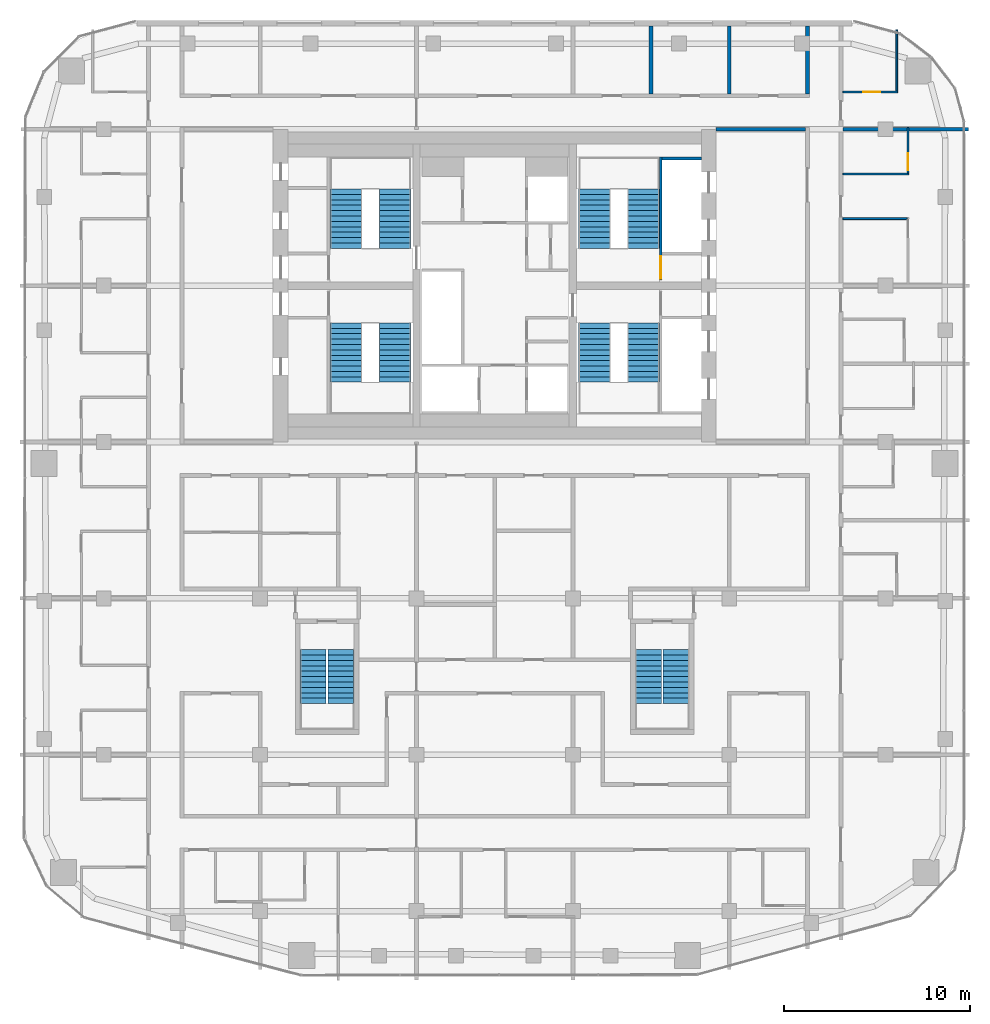
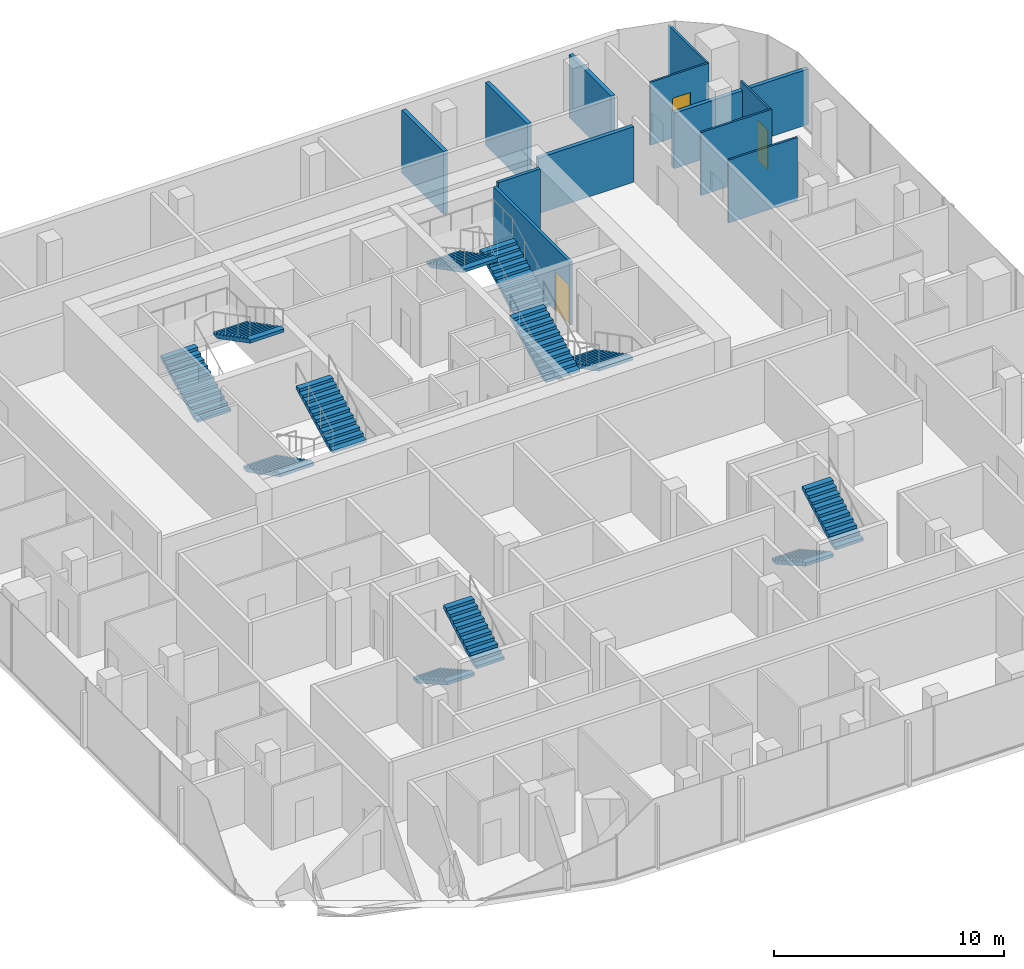
# One storey, part 20 of 21: 12 stair flights, 12 walls, 3 doors, 3 openings, 6 elements without a shape of their own.
"""IFC4 building model written with IfcOpenShell, lengths in metres."""

from ifc_helpers import new_model, si_unit, direction, frame, frame_2d, origin, place, context, subcontext, project, spatial, polyline, rectangle, outline, extrude, material, layer, layer_set, type_object, element, fill, aggregate, save


model = new_model("IFC4")

# Units and contexts
model_context = context("Model", 3, precision=1e-05, world=origin(), true_north=direction((0.0, 1.0)))
body_context = subcontext(model_context, "Body", "Model", "MODEL_VIEW")
ifc_project = project(units=[si_unit("LENGTHUNIT", "METRE"), si_unit("AREAUNIT", "SQUARE_METRE"), si_unit("VOLUMEUNIT", "CUBIC_METRE"), si_unit("PLANEANGLEUNIT", "RADIAN"), si_unit("MASSUNIT", "GRAM", prefix="KILO")], contexts=[model_context])

# Site, building, storey
site_placement = place(None, origin())
site = spatial("IfcSite", under=ifc_project, at=site_placement, CompositionType="ELEMENT")
building_placement = place(site_placement, origin())
building = spatial("IfcBuilding", under=site, at=building_placement, Name="Marenta Gate Hotel Tower", CompositionType="ELEMENT")
storey_placement = place(building_placement, frame((0.0, 0.0, 245.300048828125)))
storey = spatial("IfcBuildingStorey", under=building, at=storey_placement, Name="L58", CompositionType="ELEMENT", Elevation=245.300048828125)

# Walls
ifc_material_1 = material(Name="Concrete blockwork", Category="masonry")
ifc_layer_1 = layer(ifc_material_1, 0.199951171875)
ifc_layer_set_1 = layer_set([ifc_layer_1], Name="Concrete blockwork")
wall_type_1 = type_object("IfcWallType", Name="Core boundary wall 200 REI 180", PredefinedType="PARTITIONING", material=ifc_layer_set_1)
wall_1_placement = place(storey_placement, frame((11.89990234375, 16.800048828125, 0.0), z_axis=(0.0, 0.0, 1.0), x_axis=(1.0, 0.0, 0.0)))
element("IfcWall", 1, at=wall_1_placement, inside=storey, type_object=wall_type_1, Name="L58-CP-EW-EN", PredefinedType="PARTITIONING", context=body_context, shape_type="SweptSolid", body=[
    extrude(rectangle(XDim=4.800048828125, YDim=0.199951171875, at=frame_2d((2.39990234375, 0.0))), origin(), (0.0, 0.0, 1.0), 2.93994140625),
])
ifc_material_2 = material(Name="Concrete C40", Category="concrete")
ifc_layer_2 = layer(ifc_material_2, 0.14990234375)
ifc_layer_set_2 = layer_set([ifc_layer_2], Name="Concrete C40")
wall_type_2 = type_object("IfcWallType", Name="Core shaft wall 150 REI 180", PredefinedType="SHEAR", material=ifc_layer_set_2)
wall_2_placement = place(storey_placement, frame((9.0, 15.22509765625, 0.0), z_axis=(0.0, 0.0, 1.0), x_axis=(1.0, 0.0, 0.0)))
element("IfcWall", 2, at=wall_2_placement, inside=storey, type_object=wall_type_2, Name="L58-SHF-SW-EN-5", PredefinedType="SHEAR", context=body_context, shape_type="SweptSolid", body=[
    extrude(rectangle(XDim=2.10009765625, YDim=0.14990234375, at=frame_2d((1.050048828125, 0.0))), origin(), (0.0, 0.0, 1.0), 3.599853515625),
])

# Wall, opening, door
ifc_material_3 = material(Name="Concrete C40", Category="concrete")
ifc_layer_3 = layer(ifc_material_3, 0.14990234375)
ifc_layer_set_3 = layer_set([ifc_layer_3], Name="Concrete C40")
wall_type_3 = type_object("IfcWallType", Name="Core stair enclosure wall 150 REI 180", PredefinedType="SHEAR", material=ifc_layer_set_3)
wall_3_placement = place(storey_placement, frame((8.925048828125, 8.699951171875, 0.0), z_axis=(0.0, 0.0, 1.0), x_axis=(0.0, 1.0, 0.0)))
wall_3 = element("IfcWall", 3, at=wall_3_placement, inside=storey, type_object=wall_type_3, Name="L58-SHF-SW-EN-3", PredefinedType="SHEAR", context=body_context, shape_type="SweptSolid", body=[
    extrude(rectangle(XDim=6.60009765625, YDim=0.14990234375, at=frame_2d((3.300048828125, 0.0))), origin(), (0.0, 0.0, 1.0), 3.33984375),
])
opening_1_placement = place(wall_3_placement, frame((0.074951171875, 0.0, 0.0)))
opening_1 = element("IfcOpeningElement", 4, at=opening_1_placement, cuts=wall_3, Name="Opening SD-EN", PredefinedType="OPENING", context=body_context, shape_type="SweptSolid", body=[
    extrude(rectangle(XDim=1.199951171875, YDim=2.10009765625, at=frame_2d((0.60009765625, 1.050048828125))), frame((0.0, 0.074951171875, 0.0), z_axis=(0.0, -1.0, 0.0), x_axis=(1.0, 0.0, 0.0)), (0.0, 0.0, 1.0), 0.14990234375),
])
ifc_material_4 = material(Name="Steel", Category="steel")
door_type_1 = type_object("IfcDoorType", Name="Core stair door 1200x2100 FD60", OperationType="SINGLE_SWING_LEFT", PredefinedType="DOOR", material=ifc_material_4)
door_1_placement = place(opening_1_placement, origin())
door_1 = element("IfcDoor", 5, at=door_1_placement, inside=storey, type_object=door_type_1, Name="SD-EN", OperationType="SINGLE_SWING_LEFT", OverallHeight=2.10009765625, OverallWidth=1.199951171875, PredefinedType="DOOR", context=body_context, shape_type="SweptSolid", body=[
    extrude(rectangle(XDim=1.199951171875, YDim=2.10009765625, at=frame_2d((0.60009765625, 1.050048828125))), frame((0.0, 0.02490234375, 0.0), z_axis=(0.0, -1.0, 0.0), x_axis=(1.0, 0.0, 0.0)), (0.0, 0.0, 1.0), 0.050048828125),
])
fill(opening_1, door_1)

# Wall
ifc_material_5 = material(Name="Gypsum board on steel stud", Category="steel")
ifc_layer_4 = layer(ifc_material_5, 0.199951171875)
ifc_layer_set_4 = layer_set([ifc_layer_4], Name="Gypsum board on steel stud")
wall_type_4 = type_object("IfcWallType", Name="Room corridor wall 200 EI 60", PredefinedType="PARTITIONING", material=ifc_layer_set_4)
wall_4_placement = place(storey_placement, frame((16.800048828125, 18.699951171875, 0.0), z_axis=(0.0, 0.0, 1.0), x_axis=(0.0, 1.0, 0.0)))
element("IfcWall", 6, at=wall_4_placement, inside=storey, type_object=wall_type_4, Name="L58-PTN-W023", PredefinedType="PARTITIONING", context=body_context, shape_type="SweptSolid", body=[
    extrude(rectangle(XDim=3.64013671875, YDim=0.199951171875, at=frame_2d((1.820068359375, 0.0))), origin(), (0.0, 0.0, 1.0), 3.33984375),
])

# Wall, opening, door
ifc_material_6 = material(Name="Gypsum board on steel stud", Category="steel")
ifc_layer_5 = layer(ifc_material_6, 0.10009765625)
ifc_layer_set_5 = layer_set([ifc_layer_5], Name="Gypsum board on steel stud")
wall_type_5 = type_object("IfcWallType", Name="Room partition 100", PredefinedType="PARTITIONING", material=ifc_layer_set_5)
wall_5_placement = place(storey_placement, frame((22.199951171875, 14.449951171875, 0.0), z_axis=(0.0, 0.0, 1.0), x_axis=(0.0, 1.0, 0.0)))
wall_5 = element("IfcWall", 7, at=wall_5_placement, inside=storey, type_object=wall_type_5, Name="L58-PTN-W009", PredefinedType="PARTITIONING", context=body_context, shape_type="SweptSolid", body=[
    extrude(rectangle(XDim=2.449951171875, YDim=0.10009765625, at=frame_2d((1.22509765625, 0.0))), origin(), (0.0, 0.0, 1.0), 3.33984375),
])
opening_2_placement = place(wall_5_placement, frame((0.14990234375, 0.0, 0.0)))
opening_2 = element("IfcOpeningElement", 8, at=opening_2_placement, cuts=wall_5, Name="Opening G21-26", PredefinedType="OPENING", context=body_context, shape_type="SweptSolid", body=[
    extrude(rectangle(XDim=0.89990234375, YDim=2.10009765625, at=frame_2d((0.449951171875, 1.050048828125))), frame((0.0, 0.050048828125, 0.0), z_axis=(0.0, -1.0, 0.0), x_axis=(1.0, 0.0, 0.0)), (0.0, 0.0, 1.0), 0.10009765625),
])
ifc_material_7 = material(Name="Timber door leaf", Category="wood")
door_type_2 = type_object("IfcDoorType", Name="Room inner door 900x2100", OperationType="NOTDEFINED", PredefinedType="DOOR", material=ifc_material_7)
door_2_placement = place(opening_2_placement, origin())
door_2 = element("IfcDoor", 9, at=door_2_placement, inside=storey, type_object=door_type_2, Name="L58-PD-D026", OperationType="SINGLE_SWING_LEFT", OverallHeight=2.10009765625, OverallWidth=0.89990234375, PredefinedType="DOOR", context=body_context, shape_type="SweptSolid", body=[
    extrude(rectangle(XDim=0.89990234375, YDim=2.10009765625, at=frame_2d((0.449951171875, 1.050048828125))), frame((0.0, 0.02490234375, 0.0), z_axis=(0.0, -1.0, 0.0), x_axis=(1.0, 0.0, 0.0)), (0.0, 0.0, 1.0), 0.050048828125),
])
fill(opening_2, door_2)

# Walls
wall_6_placement = place(storey_placement, frame((21.60009765625, 18.85009765625, 0.0), z_axis=(0.0, 0.0, 1.0), x_axis=(0.0, 1.0, 0.0)))
element("IfcWall", 10, at=wall_6_placement, inside=storey, type_object=wall_type_5, Name="L58-PTN-W013", PredefinedType="PARTITIONING", context=body_context, shape_type="SweptSolid", body=[
    extrude(rectangle(XDim=3.294921875, YDim=0.10009765625, at=frame_2d((1.6474609375, 0.0))), origin(), (0.0, 0.0, 1.0), 3.33984375),
])
wall_7_placement = place(storey_placement, frame((18.699951171875, 12.0, 0.0), z_axis=(0.0, 0.0, 1.0), x_axis=(1.0, 0.0, 0.0)))
element("IfcWall", 11, at=wall_7_placement, inside=storey, type_object=wall_type_5, Name="L58-PTN-W086", PredefinedType="PARTITIONING", context=body_context, shape_type="SweptSolid", body=[
    extrude(rectangle(XDim=3.449951171875, YDim=0.10009765625, at=frame_2d((1.72509765625, 0.0))), origin(), (0.0, 0.0, 1.0), 3.33984375),
])
wall_8_placement = place(storey_placement, frame((18.699951171875, 14.39990234375, 0.0), z_axis=(0.0, 0.0, 1.0), x_axis=(1.0, 0.0, 0.0)))
element("IfcWall", 12, at=wall_8_placement, inside=storey, type_object=wall_type_5, Name="L58-PTN-W093", PredefinedType="PARTITIONING", context=body_context, shape_type="SweptSolid", body=[
    extrude(rectangle(XDim=3.550048828125, YDim=0.10009765625, at=frame_2d((1.77490234375, 0.0))), origin(), (0.0, 0.0, 1.0), 3.33984375),
])

# Wall, opening, door
wall_9_placement = place(storey_placement, frame((18.699951171875, 18.800048828125, 0.0), z_axis=(0.0, 0.0, 1.0), x_axis=(1.0, 0.0, 0.0)))
wall_9 = element("IfcWall", 13, at=wall_9_placement, inside=storey, type_object=wall_type_5, Name="L58-PTN-W104", PredefinedType="PARTITIONING", context=body_context, shape_type="SweptSolid", body=[
    extrude(rectangle(XDim=2.949951171875, YDim=0.10009765625, at=frame_2d((1.47509765625, 0.0))), origin(), (0.0, 0.0, 1.0), 3.33984375),
])
opening_3_placement = place(wall_9_placement, frame((1.10009765625, 0.0, 0.0)))
opening_3 = element("IfcOpeningElement", 14, at=opening_3_placement, cuts=wall_9, Name="Opening G21-28", PredefinedType="OPENING", context=body_context, shape_type="SweptSolid", body=[
    extrude(rectangle(XDim=0.89990234375, YDim=2.10009765625, at=frame_2d((0.449951171875, 1.050048828125))), frame((0.0, 0.050048828125, 0.0), z_axis=(0.0, -1.0, 0.0), x_axis=(1.0, 0.0, 0.0)), (0.0, 0.0, 1.0), 0.10009765625),
])
ifc_material_8 = material(Name="Timber door leaf", Category="wood")
door_type_3 = type_object("IfcDoorType", Name="Guest bathroom door 900x2100", OperationType="NOTDEFINED", PredefinedType="DOOR", material=ifc_material_8)
door_3_placement = place(opening_3_placement, origin())
door_3 = element("IfcDoor", 15, at=door_3_placement, inside=storey, type_object=door_type_3, Name="L58-PD-D028", OperationType="SINGLE_SWING_RIGHT", OverallHeight=2.10009765625, OverallWidth=0.89990234375, PredefinedType="DOOR", context=body_context, shape_type="SweptSolid", body=[
    extrude(rectangle(XDim=0.89990234375, YDim=2.10009765625, at=frame_2d((0.449951171875, 1.050048828125))), frame((0.0, 0.02490234375, 0.0), z_axis=(0.0, -1.0, 0.0), x_axis=(1.0, 0.0, 0.0)), (0.0, 0.0, 1.0), 0.050048828125),
])
fill(opening_3, door_3)

# Walls
ifc_material_9 = material(Name="Gypsum board on steel stud", Category="steel")
ifc_layer_6 = layer(ifc_material_9, 0.199951171875)
ifc_layer_set_6 = layer_set([ifc_layer_6], Name="Gypsum board on steel stud")
wall_type_6 = type_object("IfcWallType", Name="Room party wall 200 EI 60", PredefinedType="PARTITIONING", material=ifc_layer_set_6)
for number, where, z_axis, x_axis, name in (
    (16, (12.60009765625, 18.699951171875, 0.0), (0.0, 0.0, 1.0), (0.0, 1.0, 0.0), "L58-PTN-W034"),
    (17, (8.39990234375, 18.699951171875, 0.0), (0.0, 0.0, 1.0), (0.0, 1.0, 0.0), "L58-PTN-W040"),
):
    element("IfcWall", number, at=place(storey_placement, frame(where, z_axis=z_axis, x_axis=x_axis)), inside=storey, type_object=wall_type_6, Name=name, PredefinedType="PARTITIONING", context=body_context, shape_type="SweptSolid", body=[
        extrude(rectangle(XDim=3.64013671875, YDim=0.199951171875, at=frame_2d((1.820068359375, 0.0))), origin(), (0.0, 0.0, 1.0), 3.33984375),
    ])
wall_10_placement = place(storey_placement, frame((18.699951171875, 16.800048828125, 0.0), z_axis=(0.0, 0.0, 1.0), x_axis=(1.0, 0.0, 0.0)))
element("IfcWall", 18, at=wall_10_placement, inside=storey, type_object=wall_type_6, Name="L58-PTN-W100", PredefinedType="PARTITIONING", context=body_context, shape_type="SweptSolid", body=[
    extrude(rectangle(XDim=6.7470703125, YDim=0.199951171875, at=frame_2d((3.37353515625, 0.0))), origin(), (0.0, 0.0, 1.0), 2.93994140625),
])

# Stair, stair flights
ifc_material_10 = material(Name="Concrete C40", Category="concrete")
stair_type_1 = type_object("IfcStairType", Name="Core exit stair 1700 wide", PredefinedType="HALF_TURN_STAIR", material=ifc_material_10)
stair_1_placement = place(storey_placement, origin())
stair_1 = element("IfcStair", 19, at=stair_1_placement, inside=storey, type_object=stair_type_1, Name="Exit stair 1", PredefinedType="HALF_TURN_STAIR")
ifc_material_11 = material(Name="Concrete C40", Category="concrete")
stair_flight_type_1 = type_object("IfcStairFlightType", Name="Core stair flight 1700 riser 150.0 going 290", PredefinedType="STRAIGHT", material=ifc_material_11)
stair_flight_1_placement = place(storey_placement, frame((-8.0, 6.39990234375, 0.0), z_axis=(0.0, 0.0, 1.0), x_axis=(0.0, -1.0, 0.0)))
stair_flight_1 = element("IfcStairFlight", 20, at=stair_flight_1_placement, type_object=stair_flight_type_1, Name="ST1 flight 1", NumberOfRisers=12, NumberOfTreads=11, PredefinedType="STRAIGHT", RiserHeight=0.15, TreadLength=0.29, context=body_context, shape_type="SweptSolid", body=[
    extrude(outline(polyline([(0.0, 0.0), (0.0, 0.14990234375), (0.2900390625, 0.14990234375), (0.2900390625, 0.300048828125), (0.580078125, 0.300048828125), (0.580078125, 0.449951171875), (0.8701171875, 0.449951171875), (0.8701171875, 0.60009765625), (1.159912109375, 0.60009765625), (1.159912109375, 0.75), (1.449951171875, 0.75), (1.449951171875, 0.89990234375), (1.739990234375, 0.89990234375), (1.739990234375, 1.050048828125), (2.030029296875, 1.050048828125), (2.030029296875, 1.199951171875), (2.320068359375, 1.199951171875), (2.320068359375, 1.35009765625), (2.610107421875, 1.35009765625), (2.610107421875, 1.5), (2.89990234375, 1.5), (2.89990234375, 1.64990234375), (3.18994140625, 1.64990234375), (3.18994140625, 1.800048828125), (3.18994140625, 1.481201171875), (0.326171875, 0.0), (0.0, 0.0)])), frame((0.0, 0.85009765625, 0.0), z_axis=(0.0, -1.0, 0.0), x_axis=(1.0, 0.0, 0.0)), (0.0, 0.0, 1.0), 1.699951171875),
])
stair_flight_2_placement = place(storey_placement, frame((-5.35009765625, 3.2099609375, 1.800048828125), z_axis=(0.0, 0.0, 1.0), x_axis=(0.0, 1.0, 0.0)))
stair_flight_2 = element("IfcStairFlight", 21, at=stair_flight_2_placement, type_object=stair_flight_type_1, Name="ST1 flight 2", NumberOfRisers=12, NumberOfTreads=11, PredefinedType="STRAIGHT", RiserHeight=0.15, TreadLength=0.29, context=body_context, shape_type="SweptSolid", body=[
    extrude(outline(polyline([(0.0, 0.0), (0.0, 0.14990234375), (0.2900390625, 0.14990234375), (0.2900390625, 0.300048828125), (0.580078125, 0.300048828125), (0.580078125, 0.449951171875), (0.8701171875, 0.449951171875), (0.8701171875, 0.60009765625), (1.159912109375, 0.60009765625), (1.159912109375, 0.75), (1.449951171875, 0.75), (1.449951171875, 0.89990234375), (1.739990234375, 0.89990234375), (1.739990234375, 1.050048828125), (2.030029296875, 1.050048828125), (2.030029296875, 1.199951171875), (2.320068359375, 1.199951171875), (2.320068359375, 1.35009765625), (2.610107421875, 1.35009765625), (2.610107421875, 1.5), (2.89990234375, 1.5), (2.89990234375, 1.64990234375), (3.18994140625, 1.64990234375), (3.18994140625, 1.800048828125), (3.18994140625, 1.481201171875), (0.326171875, 0.0), (0.0, 0.0)])), frame((0.0, 0.85009765625, 0.0), z_axis=(0.0, -1.0, 0.0), x_axis=(1.0, 0.0, 0.0)), (0.0, 0.0, 1.0), 1.699951171875),
])
aggregate(stair_1, [stair_flight_1, stair_flight_2])

stair_2_placement = place(storey_placement, origin())
stair_2 = element("IfcStair", 22, at=stair_2_placement, inside=storey, type_object=stair_type_1, Name="Exit stair 2", PredefinedType="HALF_TURN_STAIR")
stair_flight_3_placement = place(storey_placement, frame((-8.0, 10.39990234375, 0.0), z_axis=(0.0, 0.0, 1.0), x_axis=(0.0, 1.0, 0.0)))
stair_flight_3 = element("IfcStairFlight", 23, at=stair_flight_3_placement, type_object=stair_flight_type_1, Name="ST2 flight 1", NumberOfRisers=12, NumberOfTreads=11, PredefinedType="STRAIGHT", RiserHeight=0.15, TreadLength=0.29, context=body_context, shape_type="SweptSolid", body=[
    extrude(outline(polyline([(0.0, 0.0), (0.0, 0.14990234375), (0.2900390625, 0.14990234375), (0.2900390625, 0.300048828125), (0.580078125, 0.300048828125), (0.580078125, 0.449951171875), (0.8701171875, 0.449951171875), (0.8701171875, 0.60009765625), (1.159912109375, 0.60009765625), (1.159912109375, 0.75), (1.449951171875, 0.75), (1.449951171875, 0.89990234375), (1.739990234375, 0.89990234375), (1.739990234375, 1.050048828125), (2.030029296875, 1.050048828125), (2.030029296875, 1.199951171875), (2.320068359375, 1.199951171875), (2.320068359375, 1.35009765625), (2.610107421875, 1.35009765625), (2.610107421875, 1.5), (2.89990234375, 1.5), (2.89990234375, 1.64990234375), (3.18994140625, 1.64990234375), (3.18994140625, 1.800048828125), (3.18994140625, 1.481201171875), (0.326171875, 0.0), (0.0, 0.0)])), frame((0.0, 0.85009765625, 0.0), z_axis=(0.0, -1.0, 0.0), x_axis=(1.0, 0.0, 0.0)), (0.0, 0.0, 1.0), 1.699951171875),
])
stair_flight_4_placement = place(storey_placement, frame((-5.35009765625, 13.590087890625, 1.800048828125), z_axis=(0.0, 0.0, 1.0), x_axis=(0.0, -1.0, 0.0)))
stair_flight_4 = element("IfcStairFlight", 24, at=stair_flight_4_placement, type_object=stair_flight_type_1, Name="ST2 flight 2", NumberOfRisers=12, NumberOfTreads=11, PredefinedType="STRAIGHT", RiserHeight=0.15, TreadLength=0.29, context=body_context, shape_type="SweptSolid", body=[
    extrude(outline(polyline([(0.0, 0.0), (0.0, 0.14990234375), (0.2900390625, 0.14990234375), (0.2900390625, 0.300048828125), (0.580078125, 0.300048828125), (0.580078125, 0.449951171875), (0.8701171875, 0.449951171875), (0.8701171875, 0.60009765625), (1.159912109375, 0.60009765625), (1.159912109375, 0.75), (1.449951171875, 0.75), (1.449951171875, 0.89990234375), (1.739990234375, 0.89990234375), (1.739990234375, 1.050048828125), (2.030029296875, 1.050048828125), (2.030029296875, 1.199951171875), (2.320068359375, 1.199951171875), (2.320068359375, 1.35009765625), (2.610107421875, 1.35009765625), (2.610107421875, 1.5), (2.89990234375, 1.5), (2.89990234375, 1.64990234375), (3.18994140625, 1.64990234375), (3.18994140625, 1.800048828125), (3.18994140625, 1.481201171875), (0.326171875, 0.0), (0.0, 0.0)])), frame((0.0, 0.85009765625, 0.0), z_axis=(0.0, -1.0, 0.0), x_axis=(1.0, 0.0, 0.0)), (0.0, 0.0, 1.0), 1.699951171875),
])
aggregate(stair_2, [stair_flight_3, stair_flight_4])

stair_3_placement = place(storey_placement, origin())
stair_3 = element("IfcStair", 25, at=stair_3_placement, inside=storey, type_object=stair_type_1, Name="Exit stair 3", PredefinedType="HALF_TURN_STAIR")
stair_flight_5_placement = place(storey_placement, frame((8.0, 6.39990234375, 0.0), z_axis=(0.0, 0.0, 1.0), x_axis=(0.0, -1.0, 0.0)))
stair_flight_5 = element("IfcStairFlight", 26, at=stair_flight_5_placement, type_object=stair_flight_type_1, Name="ST3 flight 1", NumberOfRisers=12, NumberOfTreads=11, PredefinedType="STRAIGHT", RiserHeight=0.15, TreadLength=0.29, context=body_context, shape_type="SweptSolid", body=[
    extrude(outline(polyline([(0.0, 0.0), (0.0, 0.14990234375), (0.2900390625, 0.14990234375), (0.2900390625, 0.300048828125), (0.580078125, 0.300048828125), (0.580078125, 0.449951171875), (0.8701171875, 0.449951171875), (0.8701171875, 0.60009765625), (1.159912109375, 0.60009765625), (1.159912109375, 0.75), (1.449951171875, 0.75), (1.449951171875, 0.89990234375), (1.739990234375, 0.89990234375), (1.739990234375, 1.050048828125), (2.030029296875, 1.050048828125), (2.030029296875, 1.199951171875), (2.320068359375, 1.199951171875), (2.320068359375, 1.35009765625), (2.610107421875, 1.35009765625), (2.610107421875, 1.5), (2.89990234375, 1.5), (2.89990234375, 1.64990234375), (3.18994140625, 1.64990234375), (3.18994140625, 1.800048828125), (3.18994140625, 1.481201171875), (0.326171875, 0.0), (0.0, 0.0)])), frame((0.0, 0.85009765625, 0.0), z_axis=(0.0, -1.0, 0.0), x_axis=(1.0, 0.0, 0.0)), (0.0, 0.0, 1.0), 1.699951171875),
])
stair_flight_6_placement = place(storey_placement, frame((5.35009765625, 3.2099609375, 1.800048828125), z_axis=(0.0, 0.0, 1.0), x_axis=(0.0, 1.0, 0.0)))
stair_flight_6 = element("IfcStairFlight", 27, at=stair_flight_6_placement, type_object=stair_flight_type_1, Name="ST3 flight 2", NumberOfRisers=12, NumberOfTreads=11, PredefinedType="STRAIGHT", RiserHeight=0.15, TreadLength=0.29, context=body_context, shape_type="SweptSolid", body=[
    extrude(outline(polyline([(0.0, 0.0), (0.0, 0.14990234375), (0.2900390625, 0.14990234375), (0.2900390625, 0.300048828125), (0.580078125, 0.300048828125), (0.580078125, 0.449951171875), (0.8701171875, 0.449951171875), (0.8701171875, 0.60009765625), (1.159912109375, 0.60009765625), (1.159912109375, 0.75), (1.449951171875, 0.75), (1.449951171875, 0.89990234375), (1.739990234375, 0.89990234375), (1.739990234375, 1.050048828125), (2.030029296875, 1.050048828125), (2.030029296875, 1.199951171875), (2.320068359375, 1.199951171875), (2.320068359375, 1.35009765625), (2.610107421875, 1.35009765625), (2.610107421875, 1.5), (2.89990234375, 1.5), (2.89990234375, 1.64990234375), (3.18994140625, 1.64990234375), (3.18994140625, 1.800048828125), (3.18994140625, 1.481201171875), (0.326171875, 0.0), (0.0, 0.0)])), frame((0.0, 0.85009765625, 0.0), z_axis=(0.0, -1.0, 0.0), x_axis=(1.0, 0.0, 0.0)), (0.0, 0.0, 1.0), 1.699951171875),
])
aggregate(stair_3, [stair_flight_5, stair_flight_6])

stair_4_placement = place(storey_placement, origin())
stair_4 = element("IfcStair", 28, at=stair_4_placement, inside=storey, type_object=stair_type_1, Name="Exit stair 4", PredefinedType="HALF_TURN_STAIR")
stair_flight_7_placement = place(storey_placement, frame((8.0, 10.39990234375, 0.0), z_axis=(0.0, 0.0, 1.0), x_axis=(0.0, 1.0, 0.0)))
stair_flight_7 = element("IfcStairFlight", 29, at=stair_flight_7_placement, type_object=stair_flight_type_1, Name="ST4 flight 1", NumberOfRisers=12, NumberOfTreads=11, PredefinedType="STRAIGHT", RiserHeight=0.15, TreadLength=0.29, context=body_context, shape_type="SweptSolid", body=[
    extrude(outline(polyline([(0.0, 0.0), (0.0, 0.14990234375), (0.2900390625, 0.14990234375), (0.2900390625, 0.300048828125), (0.580078125, 0.300048828125), (0.580078125, 0.449951171875), (0.8701171875, 0.449951171875), (0.8701171875, 0.60009765625), (1.159912109375, 0.60009765625), (1.159912109375, 0.75), (1.449951171875, 0.75), (1.449951171875, 0.89990234375), (1.739990234375, 0.89990234375), (1.739990234375, 1.050048828125), (2.030029296875, 1.050048828125), (2.030029296875, 1.199951171875), (2.320068359375, 1.199951171875), (2.320068359375, 1.35009765625), (2.610107421875, 1.35009765625), (2.610107421875, 1.5), (2.89990234375, 1.5), (2.89990234375, 1.64990234375), (3.18994140625, 1.64990234375), (3.18994140625, 1.800048828125), (3.18994140625, 1.481201171875), (0.326171875, 0.0), (0.0, 0.0)])), frame((0.0, 0.85009765625, 0.0), z_axis=(0.0, -1.0, 0.0), x_axis=(1.0, 0.0, 0.0)), (0.0, 0.0, 1.0), 1.699951171875),
])
stair_flight_8_placement = place(storey_placement, frame((5.35009765625, 13.590087890625, 1.800048828125), z_axis=(0.0, 0.0, 1.0), x_axis=(0.0, -1.0, 0.0)))
stair_flight_8 = element("IfcStairFlight", 30, at=stair_flight_8_placement, type_object=stair_flight_type_1, Name="ST4 flight 2", NumberOfRisers=12, NumberOfTreads=11, PredefinedType="STRAIGHT", RiserHeight=0.15, TreadLength=0.29, context=body_context, shape_type="SweptSolid", body=[
    extrude(outline(polyline([(0.0, 0.0), (0.0, 0.14990234375), (0.2900390625, 0.14990234375), (0.2900390625, 0.300048828125), (0.580078125, 0.300048828125), (0.580078125, 0.449951171875), (0.8701171875, 0.449951171875), (0.8701171875, 0.60009765625), (1.159912109375, 0.60009765625), (1.159912109375, 0.75), (1.449951171875, 0.75), (1.449951171875, 0.89990234375), (1.739990234375, 0.89990234375), (1.739990234375, 1.050048828125), (2.030029296875, 1.050048828125), (2.030029296875, 1.199951171875), (2.320068359375, 1.199951171875), (2.320068359375, 1.35009765625), (2.610107421875, 1.35009765625), (2.610107421875, 1.5), (2.89990234375, 1.5), (2.89990234375, 1.64990234375), (3.18994140625, 1.64990234375), (3.18994140625, 1.800048828125), (3.18994140625, 1.481201171875), (0.326171875, 0.0), (0.0, 0.0)])), frame((0.0, 0.85009765625, 0.0), z_axis=(0.0, -1.0, 0.0), x_axis=(1.0, 0.0, 0.0)), (0.0, 0.0, 1.0), 1.699951171875),
])
aggregate(stair_4, [stair_flight_7, stair_flight_8])

ifc_material_12 = material(Name="Concrete C40", Category="concrete")
stair_type_2 = type_object("IfcStairType", Name="Remote exit stair 1400 wide", PredefinedType="HALF_TURN_STAIR", material=ifc_material_12)
stair_5_placement = place(storey_placement, origin())
stair_5 = element("IfcStair", 31, at=stair_5_placement, inside=storey, type_object=stair_type_2, Name="Exit stair RS-Z3-1", PredefinedType="HALF_TURN_STAIR")
ifc_material_13 = material(Name="Concrete C40", Category="concrete")
stair_flight_type_2 = type_object("IfcStairFlightType", Name="Remote stair flight 1400 riser 163.6 going 290", PredefinedType="STRAIGHT", material=ifc_material_13)
stair_flight_9_placement = place(storey_placement, frame((-9.75, -11.14990234375, 0.0), z_axis=(0.0, 0.0, 1.0), x_axis=(0.0, -1.0, 0.0)))
stair_flight_9 = element("IfcStairFlight", 32, at=stair_flight_9_placement, type_object=stair_flight_type_2, Name="RS-Z3-1 flight 1", NumberOfRisers=11, NumberOfTreads=10, PredefinedType="STRAIGHT", RiserHeight=0.163636, TreadLength=0.29, context=body_context, shape_type="SweptSolid", body=[
    extrude(outline(polyline([(0.0, 0.0), (0.0, 0.16357421875), (0.2900390625, 0.16357421875), (0.2900390625, 0.327392578125), (0.580078125, 0.327392578125), (0.580078125, 0.490966796875), (0.8701171875, 0.490966796875), (0.8701171875, 0.654541015625), (1.159912109375, 0.654541015625), (1.159912109375, 0.818115234375), (1.449951171875, 0.818115234375), (1.449951171875, 0.98193359375), (1.739990234375, 0.98193359375), (1.739990234375, 1.1455078125), (2.030029296875, 1.1455078125), (2.030029296875, 1.30908203125), (2.320068359375, 1.30908203125), (2.320068359375, 1.47265625), (2.610107421875, 1.47265625), (2.610107421875, 1.636474609375), (2.89990234375, 1.636474609375), (2.89990234375, 1.800048828125), (2.89990234375, 1.46435546875), (0.304931640625, 0.0), (0.0, 0.0)])), frame((0.0, 0.699951171875, 0.0), z_axis=(0.0, -1.0, 0.0), x_axis=(1.0, 0.0, 0.0)), (0.0, 0.0, 1.0), 1.39990234375),
])
stair_flight_10_placement = place(storey_placement, frame((-8.25, -14.050048828125, 1.800048828125), z_axis=(0.0, 0.0, 1.0), x_axis=(0.0, 1.0, 0.0)))
stair_flight_10 = element("IfcStairFlight", 33, at=stair_flight_10_placement, type_object=stair_flight_type_2, Name="RS-Z3-1 flight 2", NumberOfRisers=11, NumberOfTreads=10, PredefinedType="STRAIGHT", RiserHeight=0.163636, TreadLength=0.29, context=body_context, shape_type="SweptSolid", body=[
    extrude(outline(polyline([(0.0, 0.0), (0.0, 0.16357421875), (0.2900390625, 0.16357421875), (0.2900390625, 0.327392578125), (0.580078125, 0.327392578125), (0.580078125, 0.490966796875), (0.8701171875, 0.490966796875), (0.8701171875, 0.654541015625), (1.159912109375, 0.654541015625), (1.159912109375, 0.818115234375), (1.449951171875, 0.818115234375), (1.449951171875, 0.98193359375), (1.739990234375, 0.98193359375), (1.739990234375, 1.1455078125), (2.030029296875, 1.1455078125), (2.030029296875, 1.30908203125), (2.320068359375, 1.30908203125), (2.320068359375, 1.47265625), (2.610107421875, 1.47265625), (2.610107421875, 1.636474609375), (2.89990234375, 1.636474609375), (2.89990234375, 1.800048828125), (2.89990234375, 1.46435546875), (0.304931640625, 0.0), (0.0, 0.0)])), frame((0.0, 0.699951171875, 0.0), z_axis=(0.0, -1.0, 0.0), x_axis=(1.0, 0.0, 0.0)), (0.0, 0.0, 1.0), 1.39990234375),
])
aggregate(stair_5, [stair_flight_9, stair_flight_10])

stair_6_placement = place(storey_placement, origin())
stair_6 = element("IfcStair", 34, at=stair_6_placement, inside=storey, type_object=stair_type_2, Name="Exit stair RS-Z3-2", PredefinedType="HALF_TURN_STAIR")
stair_flight_11_placement = place(storey_placement, frame((8.25, -11.14990234375, 0.0), z_axis=(0.0, 0.0, 1.0), x_axis=(0.0, -1.0, 0.0)))
stair_flight_11 = element("IfcStairFlight", 35, at=stair_flight_11_placement, type_object=stair_flight_type_2, Name="RS-Z3-2 flight 1", NumberOfRisers=11, NumberOfTreads=10, PredefinedType="STRAIGHT", RiserHeight=0.163636, TreadLength=0.29, context=body_context, shape_type="SweptSolid", body=[
    extrude(outline(polyline([(0.0, 0.0), (0.0, 0.16357421875), (0.2900390625, 0.16357421875), (0.2900390625, 0.327392578125), (0.580078125, 0.327392578125), (0.580078125, 0.490966796875), (0.8701171875, 0.490966796875), (0.8701171875, 0.654541015625), (1.159912109375, 0.654541015625), (1.159912109375, 0.818115234375), (1.449951171875, 0.818115234375), (1.449951171875, 0.98193359375), (1.739990234375, 0.98193359375), (1.739990234375, 1.1455078125), (2.030029296875, 1.1455078125), (2.030029296875, 1.30908203125), (2.320068359375, 1.30908203125), (2.320068359375, 1.47265625), (2.610107421875, 1.47265625), (2.610107421875, 1.636474609375), (2.89990234375, 1.636474609375), (2.89990234375, 1.800048828125), (2.89990234375, 1.46435546875), (0.304931640625, 0.0), (0.0, 0.0)])), frame((0.0, 0.699951171875, 0.0), z_axis=(0.0, -1.0, 0.0), x_axis=(1.0, 0.0, 0.0)), (0.0, 0.0, 1.0), 1.39990234375),
])
stair_flight_12_placement = place(storey_placement, frame((9.75, -14.050048828125, 1.800048828125), z_axis=(0.0, 0.0, 1.0), x_axis=(0.0, 1.0, 0.0)))
stair_flight_12 = element("IfcStairFlight", 36, at=stair_flight_12_placement, type_object=stair_flight_type_2, Name="RS-Z3-2 flight 2", NumberOfRisers=11, NumberOfTreads=10, PredefinedType="STRAIGHT", RiserHeight=0.163636, TreadLength=0.29, context=body_context, shape_type="SweptSolid", body=[
    extrude(outline(polyline([(0.0, 0.0), (0.0, 0.16357421875), (0.2900390625, 0.16357421875), (0.2900390625, 0.327392578125), (0.580078125, 0.327392578125), (0.580078125, 0.490966796875), (0.8701171875, 0.490966796875), (0.8701171875, 0.654541015625), (1.159912109375, 0.654541015625), (1.159912109375, 0.818115234375), (1.449951171875, 0.818115234375), (1.449951171875, 0.98193359375), (1.739990234375, 0.98193359375), (1.739990234375, 1.1455078125), (2.030029296875, 1.1455078125), (2.030029296875, 1.30908203125), (2.320068359375, 1.30908203125), (2.320068359375, 1.47265625), (2.610107421875, 1.47265625), (2.610107421875, 1.636474609375), (2.89990234375, 1.636474609375), (2.89990234375, 1.800048828125), (2.89990234375, 1.46435546875), (0.304931640625, 0.0), (0.0, 0.0)])), frame((0.0, 0.699951171875, 0.0), z_axis=(0.0, -1.0, 0.0), x_axis=(1.0, 0.0, 0.0)), (0.0, 0.0, 1.0), 1.39990234375),
])
aggregate(stair_6, [stair_flight_11, stair_flight_12])

save(model, "model.ifc")
